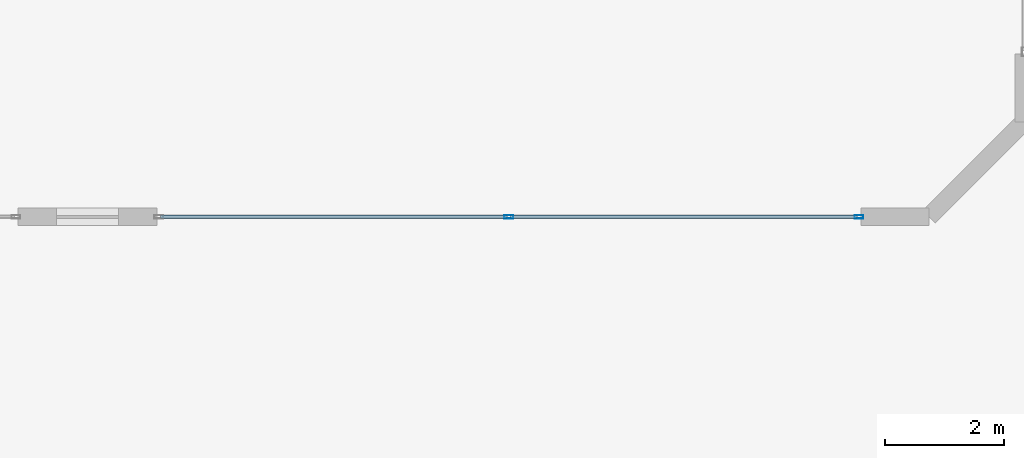
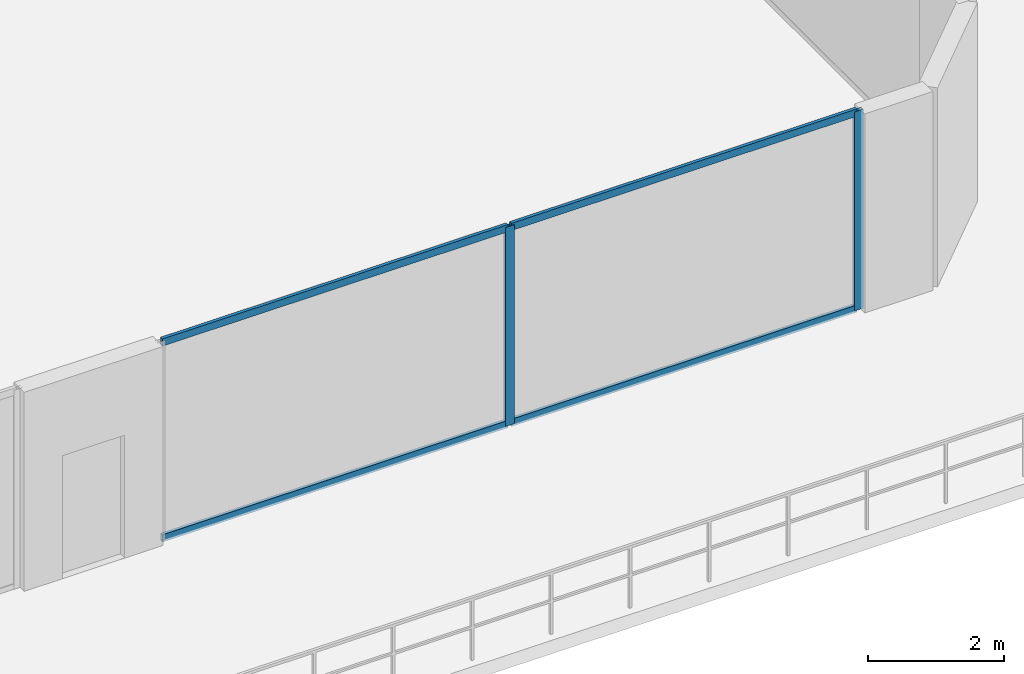
# One storey, part 5 of 19: 6 members, 1 element without a shape of its own.
"""IFC4 building model written with IfcOpenShell, lengths in metres."""

from ifc_helpers import new_model, si_unit, direction, frame, origin, origin_2d, place, context, subcontext, project, spatial, hollow_rectangle, extrude, material, layer, layer_set, material_profile, profile_set, type_object, element, aggregate, save


model = new_model("IFC4")

# Units and contexts
model_context = context("Model", 3, precision=1e-05, world=origin(), true_north=direction((0.0, 1.0)))
body_context = subcontext(model_context, "Body", "Model", "MODEL_VIEW")
ifc_project = project(units=[si_unit("LENGTHUNIT", "METRE"), si_unit("AREAUNIT", "SQUARE_METRE"), si_unit("VOLUMEUNIT", "CUBIC_METRE"), si_unit("PLANEANGLEUNIT", "RADIAN"), si_unit("MASSUNIT", "GRAM", prefix="KILO")], contexts=[model_context])

# Site, building, storey
site_placement = place(None, origin())
site = spatial("IfcSite", under=ifc_project, at=site_placement, CompositionType="ELEMENT")
building_placement = place(site_placement, origin())
building = spatial("IfcBuilding", under=site, at=building_placement, Name="Zuhayl Quay Hotel", CompositionType="ELEMENT")
storey_placement = place(building_placement, frame((0.0, 0.0, 304.85009765625)))
storey = spatial("IfcBuildingStorey", under=building, at=storey_placement, Name="Crown 3", CompositionType="ELEMENT", Elevation=304.85009765625)

# Curtain wall, members
ifc_material_1 = material(Name="Anodised Aluminium 6063-T6", Category="aluminium")
ifc_layer = layer(ifc_material_1, 0.159912109375, Name="Anodised Aluminium 6063-T6", Category="aluminium")
ifc_layer_set = layer_set([ifc_layer], Name="Anodised Aluminium 6063-T6")
curtain_wall_type = type_object("IfcCurtainWallType", Name="CW_SYS_CRN", PredefinedType="USERDEFINED", material=ifc_layer_set)
curtain_wall_placement = place(storey_placement, origin())
curtain_wall = element("IfcCurtainWall", 1, at=curtain_wall_placement, inside=storey, type_object=curtain_wall_type, Name="Crown 3 Curtain Wall ENV_CR3_E7_CW1", ObjectType="UNITISED CURTAIN WALL", PredefinedType="USERDEFINED")
ifc_material_2 = material(Name="Black-anodised aluminium 6063-T6", Category="aluminium")
ifc_material_profile_1 = material_profile(ifc_material_2, hollow_rectangle(XDim=0.06005859375, YDim=0.14990234375, WallThickness=0.00341796875, at=origin_2d()), Name="ALU150X60")
ifc_profile_set_1 = profile_set([ifc_material_profile_1], Name="Black-anodised aluminium 6063-T6")
member_type_1 = type_object("IfcMemberType", Name="MB_CW_MUL_150", PredefinedType="MULLION", material=ifc_profile_set_1)
member_1_placement = place(storey_placement, frame((9.820068359375, 8.199951171875, 0.0), z_axis=(0.0, 0.0, 1.0), x_axis=(0.0, -1.0, 0.0)))
member_1 = element("IfcMember", 2, at=member_1_placement, type_object=member_type_1, Name="CW-CRN mullion 1", PredefinedType="MULLION", context=body_context, shape_type="SweptSolid", body=[
    extrude(hollow_rectangle(XDim=0.06005859375, YDim=0.14990234375, WallThickness=0.00341796875, at=origin_2d()), origin(), (0.0, 0.0, 1.0), 3.559814453125),
])
member_2_placement = place(storey_placement, frame((3.91259765625, 8.199951171875, 0.0), z_axis=(0.0, 0.0, 1.0), x_axis=(0.0, -1.0, 0.0)))
member_2 = element("IfcMember", 3, at=member_2_placement, type_object=member_type_1, Name="CW-CRN mullion 2", PredefinedType="MULLION", context=body_context, shape_type="SweptSolid", body=[
    extrude(hollow_rectangle(XDim=0.06005859375, YDim=0.14990234375, WallThickness=0.00341796875, at=origin_2d()), origin(), (0.0, 0.0, 1.0), 3.559814453125),
])
ifc_material_profile_2 = material_profile(ifc_material_2, hollow_rectangle(XDim=0.054931640625, YDim=0.1298828125, WallThickness=0.0029296875, at=origin_2d()), Name="ALU130X55")
ifc_profile_set_2 = profile_set([ifc_material_profile_2], Name="Black-anodised aluminium 6063-T6")
member_type_2 = type_object("IfcMemberType", Name="MB_CW_TRN_130", PredefinedType="USERDEFINED", material=ifc_profile_set_2)
member_3_placement = place(storey_placement, frame((9.7900390625, 8.199951171875, 0.02734375), z_axis=(-1.0, 0.0, 0.0), x_axis=(0.0, -1.0, 0.0)))
member_3 = element("IfcMember", 4, at=member_3_placement, type_object=member_type_2, Name="CW-CRN transom 1.1", ObjectType="TRANSOM", PredefinedType="USERDEFINED", context=body_context, shape_type="SweptSolid", body=[
    extrude(hollow_rectangle(XDim=0.054931640625, YDim=0.1298828125, WallThickness=0.0029296875, at=origin_2d()), origin(), (0.0, 0.0, 1.0), 5.84765625),
])
member_4_placement = place(storey_placement, frame((9.7900390625, 8.199951171875, 3.532470703125), z_axis=(-1.0, 0.0, 0.0), x_axis=(0.0, -1.0, 0.0)))
member_4 = element("IfcMember", 5, at=member_4_placement, type_object=member_type_2, Name="CW-CRN transom 1.2", ObjectType="TRANSOM", PredefinedType="USERDEFINED", context=body_context, shape_type="SweptSolid", body=[
    extrude(hollow_rectangle(XDim=0.054931640625, YDim=0.1298828125, WallThickness=0.0029296875, at=origin_2d()), origin(), (0.0, 0.0, 1.0), 5.84765625),
])
member_5_placement = place(storey_placement, frame((3.882568359375, 8.199951171875, 0.02734375), z_axis=(-1.0, 0.0, 0.0), x_axis=(0.0, -1.0, 0.0)))
member_5 = element("IfcMember", 6, at=member_5_placement, type_object=member_type_2, Name="CW-CRN transom 2.1", ObjectType="TRANSOM", PredefinedType="USERDEFINED", context=body_context, shape_type="SweptSolid", body=[
    extrude(hollow_rectangle(XDim=0.054931640625, YDim=0.1298828125, WallThickness=0.0029296875, at=origin_2d()), origin(), (0.0, 0.0, 1.0), 5.84765625),
])
member_6_placement = place(storey_placement, frame((3.882568359375, 8.199951171875, 3.532470703125), z_axis=(-1.0, 0.0, 0.0), x_axis=(0.0, -1.0, 0.0)))
member_6 = element("IfcMember", 7, at=member_6_placement, type_object=member_type_2, Name="CW-CRN transom 2.2", ObjectType="TRANSOM", PredefinedType="USERDEFINED", context=body_context, shape_type="SweptSolid", body=[
    extrude(hollow_rectangle(XDim=0.054931640625, YDim=0.1298828125, WallThickness=0.0029296875, at=origin_2d()), origin(), (0.0, 0.0, 1.0), 5.84765625),
])
aggregate(curtain_wall, [member_1, member_2, member_3, member_4, member_5, member_6])

save(model, "model.ifc")
